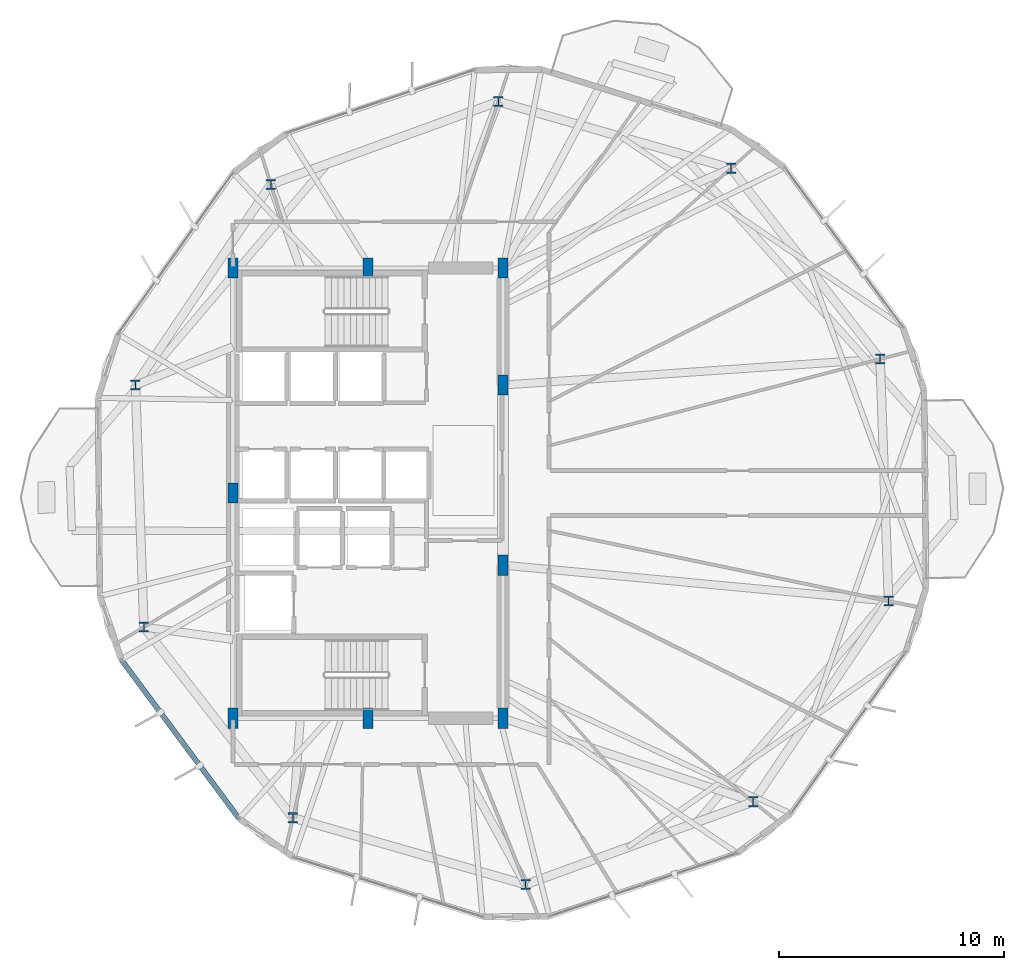
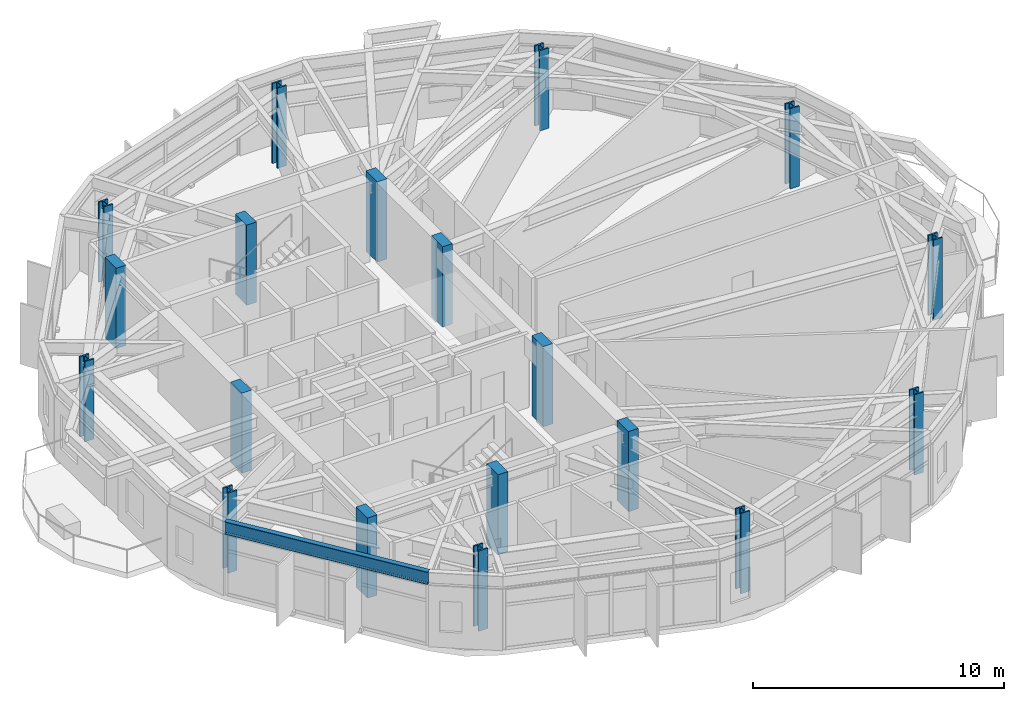
# One storey, part 1 of 27: 19 columns, 1 beam.
"""IFC4 building model written with IfcOpenShell, lengths in metres."""

from ifc_helpers import new_model, si_unit, direction, frame, origin, origin_2d, place, context, subcontext, project, spatial, rectangle, i_section, extrude, material, material_profile, profile_set, type_object, element, save


model = new_model("IFC4")

# Units and contexts
model_context = context("Model", 3, precision=1e-05, world=origin(), true_north=direction((0.0, 1.0)))
body_context = subcontext(model_context, "Body", "Model", "MODEL_VIEW")
ifc_project = project(units=[si_unit("LENGTHUNIT", "METRE"), si_unit("AREAUNIT", "SQUARE_METRE"), si_unit("VOLUMEUNIT", "CUBIC_METRE"), si_unit("PLANEANGLEUNIT", "RADIAN"), si_unit("MASSUNIT", "GRAM", prefix="KILO")], contexts=[model_context])

# Site, building, storey
site_placement = place(None, origin())
site = spatial("IfcSite", under=ifc_project, at=site_placement, CompositionType="ELEMENT")
building_placement = place(site_placement, origin())
building = spatial("IfcBuilding", under=site, at=building_placement, Name="Soratama Intermodal Tower", CompositionType="ELEMENT")
storey_placement = place(building_placement, frame((0.0, 0.0, 103.0)))
storey = spatial("IfcBuildingStorey", under=building, at=storey_placement, Name="L24", CompositionType="ELEMENT", Elevation=103.0)

# Columns
ifc_material_1 = material(Name="Structural steel ASTM A992 Grade 50", Category="steel")
ifc_material_profile_1 = material_profile(ifc_material_1, i_section(OverallWidth=0.41796875, OverallDepth=0.455078125, WebThickness=0.0419921875, FlangeThickness=0.067626953125, FilletRadius=0.0380859375, at=origin_2d()), Name="W14X370")
ifc_profile_set_1 = profile_set([ifc_material_profile_1], Name="Structural steel ASTM A992 Grade 50")
column_type_1 = type_object("IfcColumnType", Name="COL-ZB-W14X370", PredefinedType="COLUMN", material=ifc_profile_set_1)
for number, where, z_axis, x_axis, name in (
    (1, (61.3505859375, 30.951171875, 0.0), (0.0, 0.0, 1.0), (1.0, 0.0, 0.0), "L24 Tower Ring Column R01"),
    (2, (54.72998046875, 39.42529296875, 0.0), (0.0, 0.0, 1.0), (1.0, 0.0, 0.0), "L24 Tower Ring Column R02"),
    (3, (44.392578125, 42.389404296875, 0.0), (0.0, 0.0, 1.0), (1.0, 0.0, 0.0), "L24 Tower Ring Column R03"),
    (4, (34.28759765625, 38.71142578125, 0.0), (0.0, 0.0, 1.0), (1.0, 0.0, 0.0), "L24 Tower Ring Column R04"),
    (5, (28.27392578125, 29.796142578125, 0.0), (0.0, 0.0, 1.0), (1.0, 0.0, 0.0), "L24 Tower Ring Column R05"),
    (6, (28.6494140625, 19.048828125, 0.0), (0.0, 0.0, 1.0), (1.0, 0.0, 0.0), "L24 Tower Ring Column R06"),
    (7, (35.27001953125, 10.57470703125, 0.0), (0.0, 0.0, 1.0), (1.0, 0.0, 0.0), "L24 Tower Ring Column R07"),
    (8, (45.607421875, 7.610595703125, 0.0), (0.0, 0.0, 1.0), (1.0, 0.0, 0.0), "L24 Tower Ring Column R08"),
    (9, (55.71240234375, 11.28857421875, 0.0), (0.0, 0.0, 1.0), (1.0, 0.0, 0.0), "L24 Tower Ring Column R09"),
    (10, (61.72607421875, 20.203857421875, 0.0), (0.0, 0.0, 1.0), (1.0, 0.0, 0.0), "L24 Tower Ring Column R10"),
):
    element("IfcColumn", number, at=place(storey_placement, frame(where, z_axis=z_axis, x_axis=x_axis)), inside=storey, type_object=column_type_1, Name=name, PredefinedType="COLUMN", context=body_context, shape_type="SweptSolid", body=[
        extrude(i_section(OverallWidth=0.41796875, OverallDepth=0.455078125, WebThickness=0.0419921875, FlangeThickness=0.067626953125, FilletRadius=0.0380859375, at=origin_2d()), origin(), (0.0, 0.0, 1.0), 3.89990234375),
    ])
ifc_material_2 = material(Name="Concrete f'c 56 MPa", Category="concrete")
ifc_material_profile_2 = material_profile(ifc_material_2, rectangle(XDim=0.449951171875, YDim=0.89990234375, at=origin_2d()), Name="RC450X900")
ifc_profile_set_2 = profile_set([ifc_material_profile_2], Name="Concrete f'c 56 MPa")
column_type_2 = type_object("IfcColumnType", Name="PIL-CORE-450X900", PredefinedType="PILASTER", material=ifc_profile_set_2)
for number, where, z_axis, x_axis, name in (
    (11, (32.60009765625, 15.0, 0.0), (0.0, 0.0, 1.0), (1.0, 0.0, 0.0), "L24 Core Pilaster 1"),
    (12, (32.60009765625, 25.0, 0.0), (0.0, 0.0, 1.0), (1.0, 0.0, 0.0), "L24 Core Pilaster 2"),
    (13, (32.60009765625, 35.0, 0.0), (0.0, 0.0, 1.0), (1.0, 0.0, 0.0), "L24 Core Pilaster 3"),
    (14, (38.60009765625, 15.0, 0.0), (0.0, 0.0, 1.0), (1.0, 0.0, 0.0), "L24 Core Pilaster 4"),
    (15, (38.60009765625, 35.0, 0.0), (0.0, 0.0, 1.0), (1.0, 0.0, 0.0), "L24 Core Pilaster 5"),
    (16, (44.60009765625, 15.0, 0.0), (0.0, 0.0, 1.0), (1.0, 0.0, 0.0), "L24 Core Pilaster 6"),
    (17, (44.60009765625, 21.800048828125, 0.0), (0.0, 0.0, 1.0), (1.0, 0.0, 0.0), "L24 Core Pilaster 7"),
    (18, (44.60009765625, 29.800048828125, 0.0), (0.0, 0.0, 1.0), (1.0, 0.0, 0.0), "L24 Core Pilaster 8"),
    (19, (44.60009765625, 35.0, 0.0), (0.0, 0.0, 1.0), (1.0, 0.0, 0.0), "L24 Core Pilaster 9"),
):
    element("IfcColumn", number, at=place(storey_placement, frame(where, z_axis=z_axis, x_axis=x_axis)), inside=storey, type_object=column_type_2, Name=name, PredefinedType="PILASTER", context=body_context, shape_type="SweptSolid", body=[
        extrude(rectangle(XDim=0.449951171875, YDim=0.89990234375, at=origin_2d()), origin(), (0.0, 0.0, 1.0), 3.89990234375),
    ])

# Beam
ifc_material_3 = material(Name="Structural steel ASTM A992 Grade 50", Category="steel")
ifc_material_profile_3 = material_profile(ifc_material_3, i_section(OverallWidth=0.22900390625, OverallDepth=0.612060546875, WebThickness=0.011962890625, FlangeThickness=0.01953125, FilletRadius=0.012939453125, at=origin_2d()), Name="W24X84")
ifc_profile_set_3 = profile_set([ifc_material_profile_3], Name="Structural steel ASTM A992 Grade 50")
beam_type = type_object("IfcBeamType", Name="BM-SPN-W24X84", PredefinedType="SPANDREL", material=ifc_profile_set_3)
beam_placement = place(storey_placement, frame((27.634033203125, 17.611083984375, 3.2939453125), z_axis=(0.595376720511, -0.803446675688, 0.0), x_axis=(0.803446675688, 0.595376720511, 0.0)))
element("IfcBeam", 20, at=beam_placement, inside=storey, type_object=beam_type, Name="BS-L24-F06", PredefinedType="SPANDREL", context=body_context, shape_type="SweptSolid", body=[
    extrude(i_section(OverallWidth=0.22900390625, OverallDepth=0.612060546875, WebThickness=0.011962890625, FlangeThickness=0.01953125, FilletRadius=0.012939453125, at=origin_2d()), origin(), (0.0, 0.0, 1.0), 8.80615234375),
])

save(model, "model.ifc")
